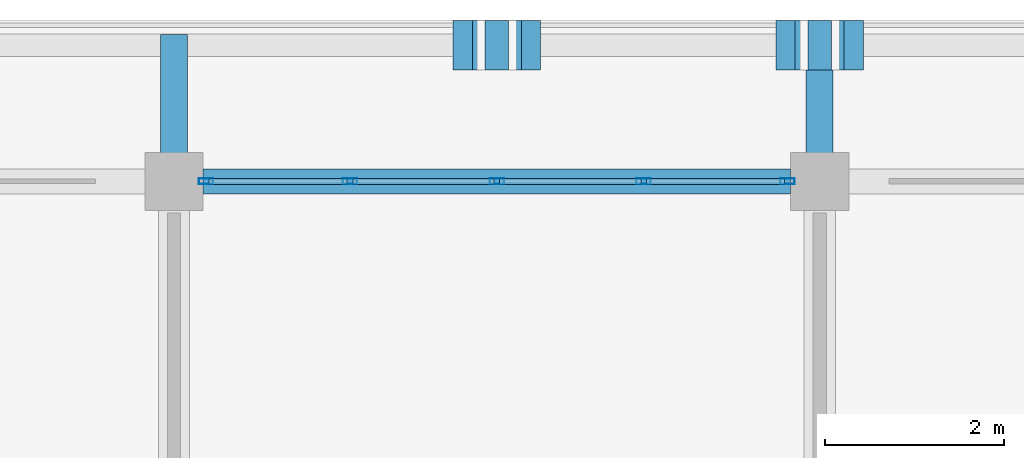
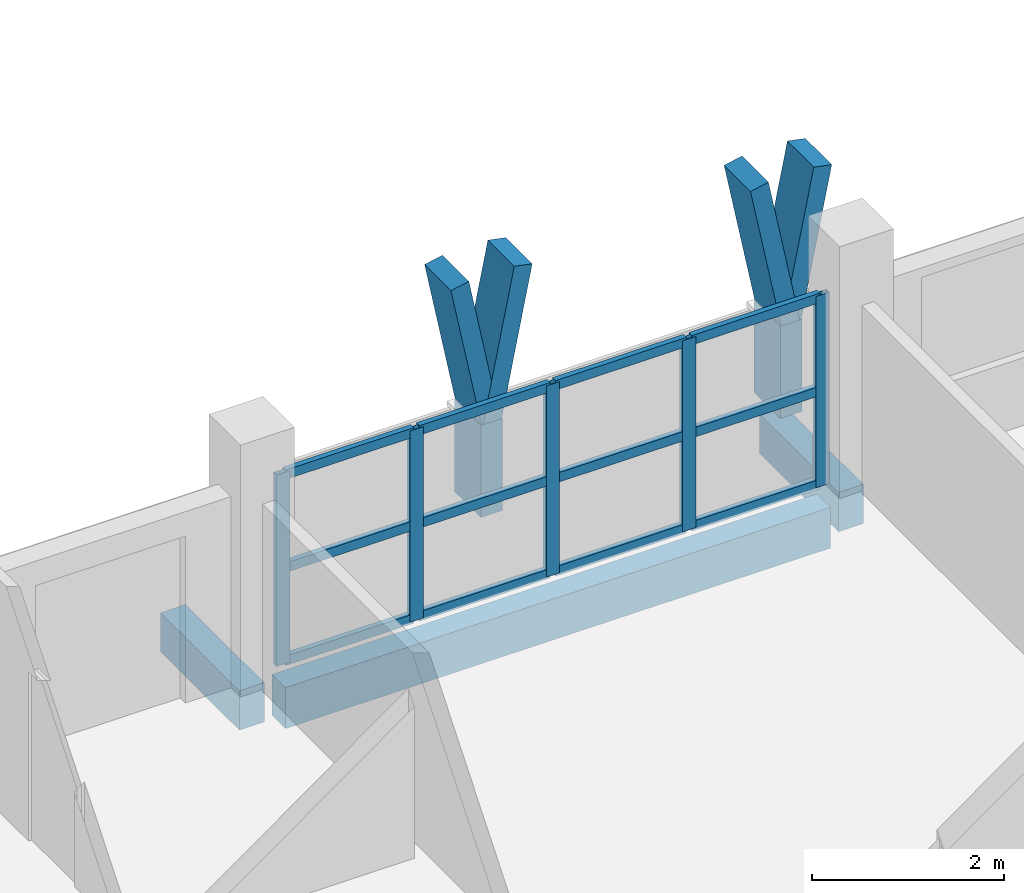
# One storey, part 12 of 78: 23 members, 3 beams, 1 element without a shape of its own.
"""IFC4 building model written with IfcOpenShell, lengths in metres."""

from ifc_helpers import new_model, si_unit, direction, frame, origin, origin_2d, place, context, subcontext, project, spatial, rectangle, hollow_rectangle, extrude, material, material_profile, profile_set, type_object, element, aggregate, save


model = new_model("IFC4")

# Units and contexts
model_context = context("Model", 3, precision=1e-05, world=origin(), true_north=direction((0.0, 1.0)))
body_context = subcontext(model_context, "Body", "Model", "MODEL_VIEW")
ifc_project = project(units=[si_unit("LENGTHUNIT", "METRE"), si_unit("AREAUNIT", "SQUARE_METRE"), si_unit("VOLUMEUNIT", "CUBIC_METRE"), si_unit("PLANEANGLEUNIT", "RADIAN"), si_unit("MASSUNIT", "GRAM", prefix="KILO")], contexts=[model_context])

# Site, building, storey
site_placement = place(None, origin())
site = spatial("IfcSite", under=ifc_project, at=site_placement, CompositionType="ELEMENT")
building_placement = place(site_placement, origin())
building = spatial("IfcBuilding", under=site, at=building_placement, Name="Suanplinth Sawtooth Commons", CompositionType="ELEMENT")
storey_placement = place(building_placement, frame((0.0, 0.0, 15.39990234375)))
storey = spatial("IfcBuildingStorey", under=building, at=storey_placement, Name="L04", CompositionType="ELEMENT", Elevation=15.39990234375)

# Beams
ifc_material_1 = material(Name="Precast concrete C40/50", Category="concrete")
ifc_material_profile_1 = material_profile(ifc_material_1, rectangle(XDim=0.300048828125, YDim=0.5, at=origin_2d()), Name="PC-BM 300x500")
ifc_profile_set_1 = profile_set([ifc_material_profile_1], Name="Precast concrete C40/50")
beam_type_1 = type_object("IfcBeamType", Name="B-07", PredefinedType="BEAM", material=ifc_profile_set_1)
for number, where, z_axis, x_axis, name in (
    (1, (14.39990234375, 122.39990234375, -0.429931640625), (0.0, 1.0, 0.0), (-1.0, 0.0, 0.0), "Balcony Outrigger L04-A-N-2"),
    (2, (21.60009765625, 122.39990234375, -0.429931640625), (0.0, 1.0, 0.0), (-1.0, 0.0, 0.0), "Balcony Outrigger L04-A-N-3"),
):
    element("IfcBeam", number, at=place(storey_placement, frame(where, z_axis=z_axis, x_axis=x_axis)), inside=storey, type_object=beam_type_1, Name=name, PredefinedType="BEAM", context=body_context, shape_type="SweptSolid", body=[
        extrude(rectangle(XDim=0.300048828125, YDim=0.5, at=origin_2d()), origin(), (0.0, 0.0, 1.0), 1.64013671875),
    ])
ifc_material_profile_2 = material_profile(ifc_material_1, rectangle(XDim=0.280029296875, YDim=0.52001953125, at=origin_2d()), Name="PC-SP 280x520")
ifc_profile_set_2 = profile_set([ifc_material_profile_2], Name="Precast concrete C40/50")
beam_type_2 = type_object("IfcBeamType", Name="B-08", PredefinedType="SPANDREL", material=ifc_profile_set_2)
beam_placement = place(storey_placement, frame((14.72509765625, 122.39990234375, -0.47998046875), z_axis=(1.0, 0.0, 0.0), x_axis=(0.0, 1.0, 0.0)))
element("IfcBeam", 3, at=beam_placement, inside=storey, type_object=beam_type_2, Name="BMX-L04-A-2-17", PredefinedType="SPANDREL", context=body_context, shape_type="SweptSolid", body=[
    extrude(rectangle(XDim=0.280029296875, YDim=0.52001953125, at=origin_2d()), origin(), (0.0, 0.0, 1.0), 6.5498046875),
])

# Members
ifc_material_2 = material(Name="Pigmented precast concrete C40/50", Category="concrete")
ifc_material_profile_3 = material_profile(ifc_material_2, rectangle(XDim=0.260009765625, YDim=0.550048828125, at=origin_2d()), Name="PC-FIN 260x550")
ifc_profile_set_3 = profile_set([ifc_material_profile_3], Name="Pigmented precast concrete C40/50")
member_type_1 = type_object("IfcMemberType", Name="M-09", PredefinedType="USERDEFINED", material=ifc_profile_set_3)
for number, where, z_axis, x_axis, name in (
    (4, (18.0, 123.919921875, 0.0), (0.0, 0.0, 1.0), (1.0, 0.0, 0.0), "Y-Blade Stem L04-A-N-01"),
    (5, (21.60009765625, 123.919921875, 0.0), (0.0, 0.0, 1.0), (1.0, 0.0, 0.0), "Y-Blade Stem L04-A-N-02"),
):
    element("IfcMember", number, at=place(storey_placement, frame(where, z_axis=z_axis, x_axis=x_axis)), inside=storey, type_object=member_type_1, Name=name, ObjectType="SHADING FIN", PredefinedType="USERDEFINED", context=body_context, shape_type="SweptSolid", body=[
        extrude(rectangle(XDim=0.260009765625, YDim=0.550048828125, at=origin_2d()), origin(), (0.0, 0.0, 1.0), 1.170166015625),
    ])
ifc_material_profile_4 = material_profile(ifc_material_2, rectangle(XDim=0.219970703125, YDim=0.550048828125, at=origin_2d()), Name="PC-FIN 220x550")
ifc_profile_set_4 = profile_set([ifc_material_profile_4], Name="Pigmented precast concrete C40/50")
member_type_2 = type_object("IfcMemberType", Name="M-10", PredefinedType="USERDEFINED", material=ifc_profile_set_4)
for number, where, z_axis, x_axis, name in (
    (6, (18.0, 123.919921875, 1.130126953125), (-0.196431120402, 0.0, 0.980517626021), (0.980517626021, 0.0, 0.196431120402), "Y-Blade Arm L L04-A-N-01"),
    (7, (18.0, 123.919921875, 1.130126953125), (0.196431120402, 0.0, 0.980517626021), (-0.980517626021, 0.0, 0.196431120402), "Y-Blade Arm R L04-A-N-01"),
    (8, (21.60009765625, 123.919921875, 1.130126953125), (-0.196431120402, 0.0, 0.980517626021), (0.980517626021, 0.0, 0.196431120402), "Y-Blade Arm L L04-A-N-02"),
):
    element("IfcMember", number, at=place(storey_placement, frame(where, z_axis=z_axis, x_axis=x_axis)), inside=storey, type_object=member_type_2, Name=name, ObjectType="SHADING FIN", PredefinedType="USERDEFINED", context=body_context, shape_type="SweptSolid", body=[
        extrude(rectangle(XDim=0.219970703125, YDim=0.550048828125, at=origin_2d()), origin(), (0.0, 0.0, 1.0), 1.937744140625),
    ])
member_1_placement = place(storey_placement, frame((21.60009765625, 123.919921875, 1.130126953125), z_axis=(0.196309979414, 0.0, 0.980541886909), x_axis=(-0.980541886909, 0.0, 0.196309979414)))
element("IfcMember", 9, at=member_1_placement, inside=storey, type_object=member_type_2, Name="Y-Blade Arm R L04-A-N-02", ObjectType="SHADING FIN", PredefinedType="USERDEFINED", context=body_context, shape_type="SweptSolid", body=[
    extrude(rectangle(XDim=0.219970703125, YDim=0.550048828125, at=origin_2d()), origin(), (0.0, 0.0, 1.0), 1.9375),
])

# Curtain wall, members
ifc_material_3 = material(Name="Anodized aluminium and low-E glazing", Category="aluminium")
curtain_wall_type = type_object("IfcCurtainWallType", Name="CW-06", PredefinedType="USERDEFINED", material=ifc_material_3)
curtain_wall_placement = place(storey_placement, origin())
curtain_wall = element("IfcCurtainWall", 10, at=curtain_wall_placement, inside=storey, type_object=curtain_wall_type, Name="Curtain Wall CW-L04-A-LOUNGE-2", ObjectType="CURTAIN WALL", PredefinedType="USERDEFINED")
ifc_material_4 = material(Name="Anodized aluminium 6063-T6", Category="aluminium")
ifc_material_profile_5 = material_profile(ifc_material_4, hollow_rectangle(XDim=0.06494140625, YDim=0.159912109375, WallThickness=0.00390625, at=origin_2d()), Name="ALU-MUL 65x160")
ifc_profile_set_5 = profile_set([ifc_material_profile_5], Name="Anodized aluminium 6063-T6")
member_type_3 = type_object("IfcMemberType", Name="M-13", PredefinedType="MULLION", material=ifc_profile_set_5)
member_2_placement = place(storey_placement, frame((14.757568359375, 122.39990234375, 0.0), z_axis=(0.0, 0.0, 1.0), x_axis=(0.0, 1.0, 0.0)))
member_2 = element("IfcMember", 11, at=member_2_placement, type_object=member_type_3, Name="CW-06 mullion 1", PredefinedType="MULLION", context=body_context, shape_type="SweptSolid", body=[
    extrude(hollow_rectangle(XDim=0.06494140625, YDim=0.159912109375, WallThickness=0.00390625, at=origin_2d()), origin(), (0.0, 0.0, 1.0), 2.43017578125),
])
member_3_placement = place(storey_placement, frame((16.362548828125, 122.39990234375, 0.0), z_axis=(0.0, 0.0, 1.0), x_axis=(0.0, 1.0, 0.0)))
member_3 = element("IfcMember", 12, at=member_3_placement, type_object=member_type_3, Name="CW-06 mullion 2", PredefinedType="MULLION", context=body_context, shape_type="SweptSolid", body=[
    extrude(hollow_rectangle(XDim=0.06494140625, YDim=0.159912109375, WallThickness=0.00390625, at=origin_2d()), origin(), (0.0, 0.0, 1.0), 2.43017578125),
])
member_4_placement = place(storey_placement, frame((18.0, 122.39990234375, 0.0), z_axis=(0.0, 0.0, 1.0), x_axis=(0.0, 1.0, 0.0)))
member_4 = element("IfcMember", 13, at=member_4_placement, type_object=member_type_3, Name="CW-06 mullion 3", PredefinedType="MULLION", context=body_context, shape_type="SweptSolid", body=[
    extrude(hollow_rectangle(XDim=0.06494140625, YDim=0.159912109375, WallThickness=0.00390625, at=origin_2d()), origin(), (0.0, 0.0, 1.0), 2.43017578125),
])
member_5_placement = place(storey_placement, frame((19.637451171875, 122.39990234375, 0.0), z_axis=(0.0, 0.0, 1.0), x_axis=(0.0, 1.0, 0.0)))
member_5 = element("IfcMember", 14, at=member_5_placement, type_object=member_type_3, Name="CW-06 mullion 4", PredefinedType="MULLION", context=body_context, shape_type="SweptSolid", body=[
    extrude(hollow_rectangle(XDim=0.06494140625, YDim=0.159912109375, WallThickness=0.00390625, at=origin_2d()), origin(), (0.0, 0.0, 1.0), 2.43017578125),
])
member_6_placement = place(storey_placement, frame((21.242431640625, 122.39990234375, 0.0), z_axis=(0.0, 0.0, 1.0), x_axis=(0.0, 1.0, 0.0)))
member_6 = element("IfcMember", 15, at=member_6_placement, type_object=member_type_3, Name="CW-06 mullion 5", PredefinedType="MULLION", context=body_context, shape_type="SweptSolid", body=[
    extrude(hollow_rectangle(XDim=0.06494140625, YDim=0.159912109375, WallThickness=0.00390625, at=origin_2d()), origin(), (0.0, 0.0, 1.0), 2.43017578125),
])
ifc_material_profile_6 = material_profile(ifc_material_4, hollow_rectangle(XDim=0.06494140625, YDim=0.1201171875, WallThickness=0.00390625, at=origin_2d()), Name="ALU-TRN 65x120")
ifc_profile_set_6 = profile_set([ifc_material_profile_6], Name="Anodized aluminium 6063-T6")
member_type_4 = type_object("IfcMemberType", Name="M-15", PredefinedType="USERDEFINED", material=ifc_profile_set_6)
member_7_placement = place(storey_placement, frame((14.7900390625, 122.39990234375, 0.03271484375), z_axis=(1.0, 0.0, 0.0), x_axis=(0.0, 1.0, 0.0)))
member_7 = element("IfcMember", 16, at=member_7_placement, type_object=member_type_4, Name="CW-06 transom 1.1", ObjectType="TRANSOM", PredefinedType="USERDEFINED", context=body_context, shape_type="SweptSolid", body=[
    extrude(hollow_rectangle(XDim=0.06494140625, YDim=0.1201171875, WallThickness=0.00390625, at=origin_2d()), origin(), (0.0, 0.0, 1.0), 1.5400390625),
])
member_8_placement = place(storey_placement, frame((14.7900390625, 122.39990234375, 1.215087890625), z_axis=(1.0, 0.0, 0.0), x_axis=(0.0, 1.0, 0.0)))
member_8 = element("IfcMember", 17, at=member_8_placement, type_object=member_type_4, Name="CW-06 transom 1.2", ObjectType="TRANSOM", PredefinedType="USERDEFINED", context=body_context, shape_type="SweptSolid", body=[
    extrude(hollow_rectangle(XDim=0.06494140625, YDim=0.1201171875, WallThickness=0.00390625, at=origin_2d()), origin(), (0.0, 0.0, 1.0), 1.5400390625),
])
member_9_placement = place(storey_placement, frame((14.7900390625, 122.39990234375, 2.397705078125), z_axis=(1.0, 0.0, 0.0), x_axis=(0.0, 1.0, 0.0)))
member_9 = element("IfcMember", 18, at=member_9_placement, type_object=member_type_4, Name="CW-06 transom 1.3", ObjectType="TRANSOM", PredefinedType="USERDEFINED", context=body_context, shape_type="SweptSolid", body=[
    extrude(hollow_rectangle(XDim=0.06494140625, YDim=0.1201171875, WallThickness=0.00390625, at=origin_2d()), origin(), (0.0, 0.0, 1.0), 1.5400390625),
])
member_10_placement = place(storey_placement, frame((16.39501953125, 122.39990234375, 0.03271484375), z_axis=(1.0, 0.0, 0.0), x_axis=(0.0, 1.0, 0.0)))
member_10 = element("IfcMember", 19, at=member_10_placement, type_object=member_type_4, Name="CW-06 transom 2.1", ObjectType="TRANSOM", PredefinedType="USERDEFINED", context=body_context, shape_type="SweptSolid", body=[
    extrude(hollow_rectangle(XDim=0.06494140625, YDim=0.1201171875, WallThickness=0.00390625, at=origin_2d()), origin(), (0.0, 0.0, 1.0), 1.572509765625),
])
member_11_placement = place(storey_placement, frame((16.39501953125, 122.39990234375, 1.215087890625), z_axis=(1.0, 0.0, 0.0), x_axis=(0.0, 1.0, 0.0)))
member_11 = element("IfcMember", 20, at=member_11_placement, type_object=member_type_4, Name="CW-06 transom 2.2", ObjectType="TRANSOM", PredefinedType="USERDEFINED", context=body_context, shape_type="SweptSolid", body=[
    extrude(hollow_rectangle(XDim=0.06494140625, YDim=0.1201171875, WallThickness=0.00390625, at=origin_2d()), origin(), (0.0, 0.0, 1.0), 1.572509765625),
])
member_12_placement = place(storey_placement, frame((16.39501953125, 122.39990234375, 2.397705078125), z_axis=(1.0, 0.0, 0.0), x_axis=(0.0, 1.0, 0.0)))
member_12 = element("IfcMember", 21, at=member_12_placement, type_object=member_type_4, Name="CW-06 transom 2.3", ObjectType="TRANSOM", PredefinedType="USERDEFINED", context=body_context, shape_type="SweptSolid", body=[
    extrude(hollow_rectangle(XDim=0.06494140625, YDim=0.1201171875, WallThickness=0.00390625, at=origin_2d()), origin(), (0.0, 0.0, 1.0), 1.572509765625),
])
member_13_placement = place(storey_placement, frame((18.032470703125, 122.39990234375, 0.03271484375), z_axis=(1.0, 0.0, 0.0), x_axis=(0.0, 1.0, 0.0)))
member_13 = element("IfcMember", 22, at=member_13_placement, type_object=member_type_4, Name="CW-06 transom 3.1", ObjectType="TRANSOM", PredefinedType="USERDEFINED", context=body_context, shape_type="SweptSolid", body=[
    extrude(hollow_rectangle(XDim=0.06494140625, YDim=0.1201171875, WallThickness=0.00390625, at=origin_2d()), origin(), (0.0, 0.0, 1.0), 1.572509765625),
])
member_14_placement = place(storey_placement, frame((18.032470703125, 122.39990234375, 1.215087890625), z_axis=(1.0, 0.0, 0.0), x_axis=(0.0, 1.0, 0.0)))
member_14 = element("IfcMember", 23, at=member_14_placement, type_object=member_type_4, Name="CW-06 transom 3.2", ObjectType="TRANSOM", PredefinedType="USERDEFINED", context=body_context, shape_type="SweptSolid", body=[
    extrude(hollow_rectangle(XDim=0.06494140625, YDim=0.1201171875, WallThickness=0.00390625, at=origin_2d()), origin(), (0.0, 0.0, 1.0), 1.572509765625),
])
member_15_placement = place(storey_placement, frame((18.032470703125, 122.39990234375, 2.397705078125), z_axis=(1.0, 0.0, 0.0), x_axis=(0.0, 1.0, 0.0)))
member_15 = element("IfcMember", 24, at=member_15_placement, type_object=member_type_4, Name="CW-06 transom 3.3", ObjectType="TRANSOM", PredefinedType="USERDEFINED", context=body_context, shape_type="SweptSolid", body=[
    extrude(hollow_rectangle(XDim=0.06494140625, YDim=0.1201171875, WallThickness=0.00390625, at=origin_2d()), origin(), (0.0, 0.0, 1.0), 1.572509765625),
])
member_16_placement = place(storey_placement, frame((19.669921875, 122.39990234375, 0.03271484375), z_axis=(1.0, 0.0, 0.0), x_axis=(0.0, 1.0, 0.0)))
member_16 = element("IfcMember", 25, at=member_16_placement, type_object=member_type_4, Name="CW-06 transom 4.1", ObjectType="TRANSOM", PredefinedType="USERDEFINED", context=body_context, shape_type="SweptSolid", body=[
    extrude(hollow_rectangle(XDim=0.06494140625, YDim=0.1201171875, WallThickness=0.00390625, at=origin_2d()), origin(), (0.0, 0.0, 1.0), 1.5400390625),
])
member_17_placement = place(storey_placement, frame((19.669921875, 122.39990234375, 1.215087890625), z_axis=(1.0, 0.0, 0.0), x_axis=(0.0, 1.0, 0.0)))
member_17 = element("IfcMember", 26, at=member_17_placement, type_object=member_type_4, Name="CW-06 transom 4.2", ObjectType="TRANSOM", PredefinedType="USERDEFINED", context=body_context, shape_type="SweptSolid", body=[
    extrude(hollow_rectangle(XDim=0.06494140625, YDim=0.1201171875, WallThickness=0.00390625, at=origin_2d()), origin(), (0.0, 0.0, 1.0), 1.5400390625),
])
member_18_placement = place(storey_placement, frame((19.669921875, 122.39990234375, 2.397705078125), z_axis=(1.0, 0.0, 0.0), x_axis=(0.0, 1.0, 0.0)))
member_18 = element("IfcMember", 27, at=member_18_placement, type_object=member_type_4, Name="CW-06 transom 4.3", ObjectType="TRANSOM", PredefinedType="USERDEFINED", context=body_context, shape_type="SweptSolid", body=[
    extrude(hollow_rectangle(XDim=0.06494140625, YDim=0.1201171875, WallThickness=0.00390625, at=origin_2d()), origin(), (0.0, 0.0, 1.0), 1.5400390625),
])
aggregate(curtain_wall, [member_2, member_3, member_4, member_5, member_6, member_7, member_8, member_9, member_10, member_11, member_12, member_13, member_14, member_15, member_16, member_17, member_18])

save(model, "model.ifc")
